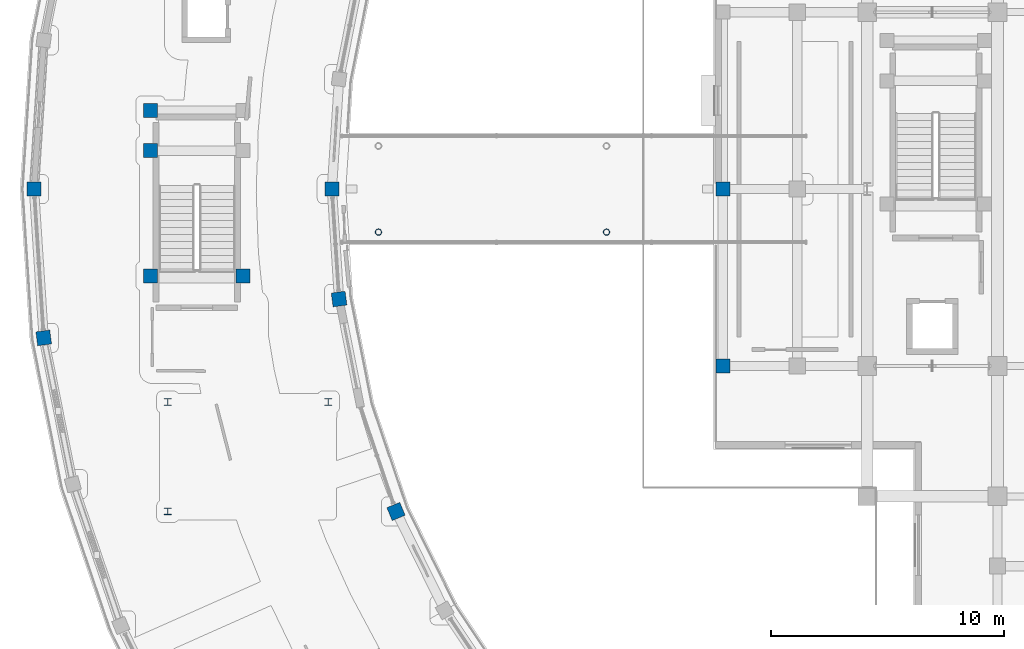
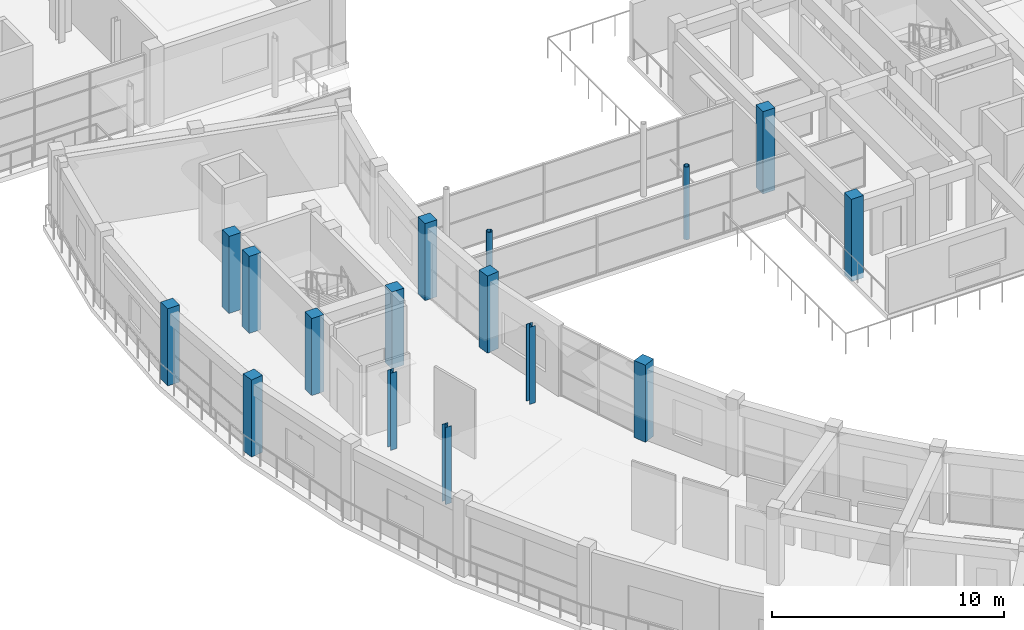
# One storey, part 2 of 72: 16 columns.
"""IFC4 building model written with IfcOpenShell, lengths in metres."""

from ifc_helpers import new_model, si_unit, direction, frame, origin, origin_2d, place, context, subcontext, project, spatial, rectangle, hollow_circle, i_section, extrude, material, material_profile, profile_set, type_object, element, save


model = new_model("IFC4")

# Units and contexts
model_context = context("Model", 3, precision=1e-05, world=origin(), true_north=direction((0.0, 1.0)))
body_context = subcontext(model_context, "Body", "Model", "MODEL_VIEW")
ifc_project = project(units=[si_unit("LENGTHUNIT", "METRE"), si_unit("AREAUNIT", "SQUARE_METRE"), si_unit("VOLUMEUNIT", "CUBIC_METRE"), si_unit("PLANEANGLEUNIT", "RADIAN"), si_unit("MASSUNIT", "GRAM", prefix="KILO")], contexts=[model_context])

# Site, building, storey
site_placement = place(None, origin())
site = spatial("IfcSite", under=ifc_project, at=site_placement, CompositionType="ELEMENT")
building_placement = place(site_placement, origin())
building = spatial("IfcBuilding", under=site, at=building_placement, Name="Saryqyr Civic Hall", CompositionType="ELEMENT")
storey_placement = place(building_placement, frame((0.0, 0.0, 17.25)))
storey = spatial("IfcBuildingStorey", under=building, at=storey_placement, Name="L04", CompositionType="ELEMENT", Elevation=17.25)

# Columns
ifc_material_1 = material(Name="Steel S355", Category="steel")
ifc_material_profile_1 = material_profile(ifc_material_1, hollow_circle(Radius=0.136474609375, WallThickness=0.01611328125, at=origin_2d()), Name="CHS 273x16")
ifc_profile_set_1 = profile_set([ifc_material_profile_1], Name="Steel S355")
column_type_1 = type_object("IfcColumnType", Name="STR-COL-CHS273-S355", PredefinedType="COLUMN", material=ifc_profile_set_1)
for number, where, z_axis, x_axis, name in (
    (1, (22.800048828125, 82.14990234375, 0.0), (0.0, 0.0, 1.0), (1.0, 0.0, 0.0), "Column BRCOL-BR-CW-1-L04"),
    (2, (32.60009765625, 82.14990234375, 0.0), (0.0, 0.0, 1.0), (1.0, 0.0, 0.0), "Column BRCOL-BR-CW-2-L04"),
):
    element("IfcColumn", number, at=place(storey_placement, frame(where, z_axis=z_axis, x_axis=x_axis)), inside=storey, type_object=column_type_1, Name=name, PredefinedType="COLUMN", context=body_context, shape_type="SweptSolid", body=[
        extrude(hollow_circle(Radius=0.136474609375, WallThickness=0.01611328125, at=origin_2d()), origin(), (0.0, 0.0, 1.0), 3.820068359375),
    ])
ifc_material_profile_2 = material_profile(ifc_material_1, i_section(OverallWidth=0.300048828125, OverallDepth=0.2900390625, WebThickness=0.008544921875, FlangeThickness=0.013916015625, at=origin_2d()), Name="HEA 300")
ifc_profile_set_2 = profile_set([ifc_material_profile_2], Name="Steel S355")
column_type_2 = type_object("IfcColumnType", Name="STR-COL-HEA300-S355", PredefinedType="COLUMN", material=ifc_profile_set_2)
for number, where, z_axis, x_axis, name in (
    (3, (13.75, 70.14990234375, 0.0), (0.0, 0.0, 1.0), (1.0, 0.0, 0.0), "Column RGV4-COL-1-L04"),
    (4, (20.64990234375, 74.85009765625, 0.0), (0.0, 0.0, 1.0), (1.0, 0.0, 0.0), "Column RGV4-COL-3-L04"),
    (5, (13.75, 74.85009765625, 0.0), (0.0, 0.0, 1.0), (1.0, 0.0, 0.0), "Column RGV4-COL-4-L04"),
):
    element("IfcColumn", number, at=place(storey_placement, frame(where, z_axis=z_axis, x_axis=x_axis)), inside=storey, type_object=column_type_2, Name=name, PredefinedType="COLUMN", context=body_context, shape_type="SweptSolid", body=[
        extrude(i_section(OverallWidth=0.300048828125, OverallDepth=0.2900390625, WebThickness=0.008544921875, FlangeThickness=0.013916015625, at=origin_2d()), origin(), (0.0, 0.0, 1.0), 4.050048828125),
    ])
ifc_material_2 = material(Name="Concrete C40/50", Category="concrete")
ifc_material_profile_3 = material_profile(ifc_material_2, rectangle(XDim=0.60009765625, YDim=0.60009765625, at=origin_2d()), Name="RC 600x600")
ifc_profile_set_3 = profile_set([ifc_material_profile_3], Name="Concrete C40/50")
column_type_3 = type_object("IfcColumnType", Name="STR-COL-RC600-C40", PredefinedType="COLUMN", material=ifc_profile_set_3)
for number, where, z_axis, x_axis, name in (
    (6, (37.60009765625, 76.39990234375, -0.280029296875), (0.0, 0.0, 1.0), (1.0, 0.0, 0.0), "Column V1-COL-TG-W1-L04"),
    (7, (37.60009765625, 84.0, -0.280029296875), (0.0, 0.0, 1.0), (1.0, 0.0, 0.0), "Column V1-COL-TG-W2-L04"),
):
    element("IfcColumn", number, at=place(storey_placement, frame(where, z_axis=z_axis, x_axis=x_axis)), inside=storey, type_object=column_type_3, Name=name, PredefinedType="COLUMN", context=body_context, shape_type="SweptSolid", body=[
        extrude(rectangle(XDim=0.60009765625, YDim=0.60009765625, at=origin_2d()), origin(), (0.0, 0.0, 1.0), 4.330078125),
    ])
for number, where, z_axis, x_axis, name in (
    (8, (20.800048828125, 84.0, 0.0), (0.0, 0.0, 1.0), (-1.0, 0.0, 0.0), "Column V4-COL-IN02-L04"),
    (9, (8.0, 84.0, 0.0), (0.0, 0.0, 1.0), (-1.0, 0.0, 0.0), "Column V4-COL-OUT02-L04"),
    (10, (21.109619140625, 79.27490234375, 0.0), (0.0, 0.0, 1.0), (-0.991444861374, -0.13052619222, 0.0), "Column V4-COL-IN03-L04"),
    (11, (8.419189453125, 77.604248046875, 0.0), (0.0, 0.0, 1.0), (-0.991444861374, -0.13052619222, 0.0), "Column V4-COL-OUT03-L04"),
    (12, (23.5556640625, 70.14697265625, 0.0), (0.0, 0.0, 1.0), (-0.923879532511, -0.382683432365, 0.0), "Column V4-COL-IN05-L04"),
    (13, (16.989990234375, 80.264892578125, 0.0), (0.0, 0.0, 1.0), (1.0, 0.0, 0.0), "Column ST-4-SCOL-TRMA-L04"),
    (14, (13.010009765625, 80.264892578125, 0.0), (0.0, 0.0, 1.0), (1.0, 0.0, 0.0), "Column ST-4-SCOL-TRMB-L04"),
    (15, (13.010009765625, 85.64990234375, 0.0), (0.0, 0.0, 1.0), (1.0, 0.0, 0.0), "Column ST-4-SCOL-LND1B-L04"),
    (16, (13.010009765625, 87.3798828125, 0.0), (0.0, 0.0, 1.0), (1.0, 0.0, 0.0), "Column ST-4-SCOL-LND2B-L04"),
):
    element("IfcColumn", number, at=place(storey_placement, frame(where, z_axis=z_axis, x_axis=x_axis)), inside=storey, type_object=column_type_3, Name=name, PredefinedType="COLUMN", context=body_context, shape_type="SweptSolid", body=[
        extrude(rectangle(XDim=0.60009765625, YDim=0.60009765625, at=origin_2d()), origin(), (0.0, 0.0, 1.0), 4.050048828125),
    ])

save(model, "model.ifc")
